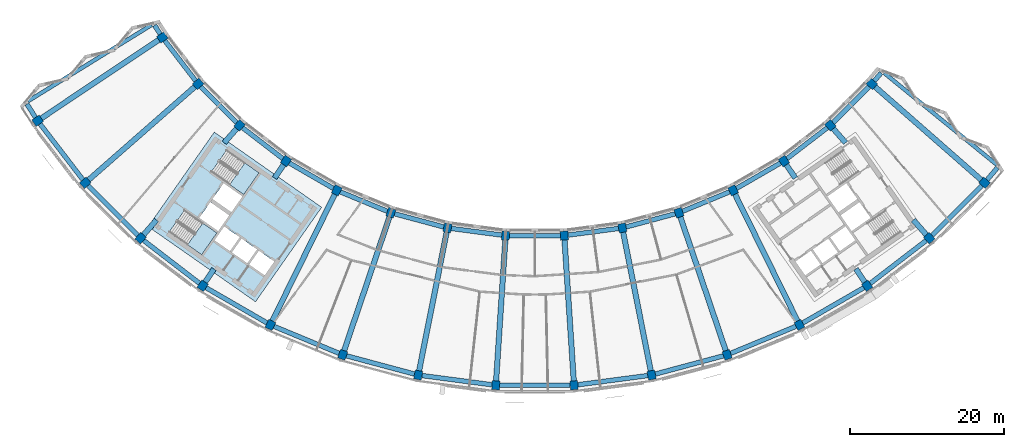
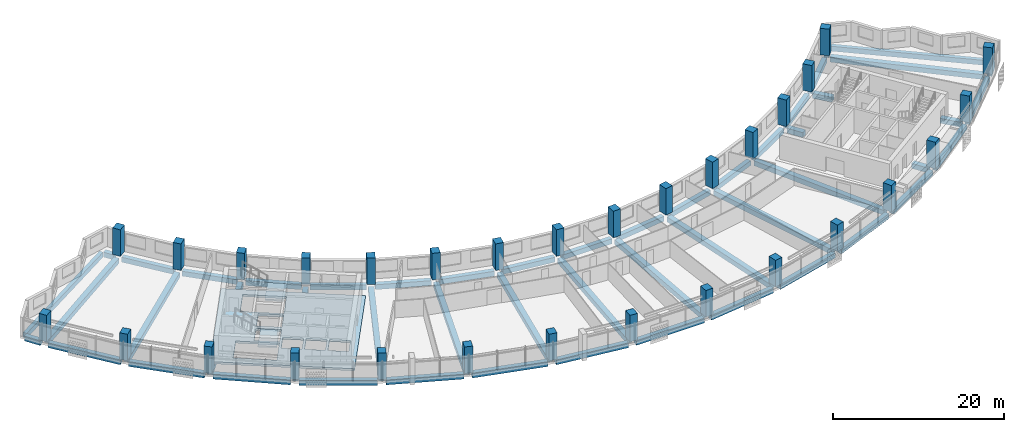
# One storey, part 1 of 28: 53 beams, 30 columns, 3 slabs, 2 elements without a shape of their own.
"""IFC4 building model written with IfcOpenShell, lengths in metres."""

from ifc_helpers import new_model, si_unit, direction, frame, origin, origin_2d, place, context, subcontext, project, spatial, polyline, rectangle, outline, extrude, material, layer, layer_set, material_profile, profile_set, type_object, element, aggregate, save


model = new_model("IFC4")

# Units and contexts
model_context = context("Model", 3, precision=1e-05, world=origin(), true_north=direction((0.0, 1.0)))
body_context = subcontext(model_context, "Body", "Model", "MODEL_VIEW")
ifc_project = project(units=[si_unit("LENGTHUNIT", "METRE"), si_unit("AREAUNIT", "SQUARE_METRE"), si_unit("VOLUMEUNIT", "CUBIC_METRE"), si_unit("PLANEANGLEUNIT", "RADIAN"), si_unit("MASSUNIT", "GRAM", prefix="KILO")], contexts=[model_context])

# Site, building, storey
site_placement = place(None, origin())
site = spatial("IfcSite", under=ifc_project, at=site_placement, CompositionType="ELEMENT")
building_placement = place(site_placement, origin())
building = spatial("IfcBuilding", under=site, at=building_placement, Name="Qamariyya Broadcast Tower", CompositionType="ELEMENT")
storey_placement = place(building_placement, frame((0.0, 0.0, 230.300048828125)))
storey = spatial("IfcBuildingStorey", under=building, at=storey_placement, Name="L55", CompositionType="ELEMENT", Elevation=230.300048828125)

# Columns
ifc_material_1 = material(Name="Concrete C60/75", Category="concrete")
ifc_material_profile_1 = material_profile(ifc_material_1, rectangle(XDim=1.0, YDim=1.14990234375, at=origin_2d()))
ifc_profile_set_1 = profile_set([ifc_material_profile_1], Name="Concrete C60/75")
column_type = type_object("IfcColumnType", Name="RC column 1000 x 1150 C60/75", PredefinedType="COLUMN", material=ifc_profile_set_1)
for number, where, z_axis, x_axis, name in (
    (1, (-48.43310546875, -32.362060546875, 0.0), (0.0, 0.0, 1.0), (0.55557023302, -0.831469612303, 0.0), "Column C11 L55 B-R03"),
    (2, (-64.646728515625, -43.195556640625, 0.0), (0.0, 0.0, 1.0), (0.55557023302, -0.831469612303, 0.0), "Column C11 L55 C-R03"),
    (3, (-43.794677734375, -38.406982421875, 0.0), (0.0, 0.0, 1.0), (0.6593458151, -0.751839807479, 0.0), "Column C11 L55 B-R04"),
    (4, (-58.45556640625, -51.26416015625, 0.0), (0.0, 0.0, 1.0), (0.6593458151, -0.751839807479, 0.0), "Column C11 L55 C-R04"),
    (5, (-38.406982421875, -43.794677734375, 0.0), (0.0, 0.0, 1.0), (0.751839807479, -0.6593458151, 0.0), "Column C11 L55 B-R05"),
    (6, (-51.26416015625, -58.45556640625, 0.0), (0.0, 0.0, 1.0), (0.751839807479, -0.6593458151, 0.0), "Column C11 L55 C-R05"),
    (7, (-32.362060546875, -48.43310546875, 0.0), (0.0, 0.0, 1.0), (0.831469612303, -0.55557023302, 0.0), "Column C11 L55 B-R06"),
    (8, (-43.195556640625, -64.646728515625, 0.0), (0.0, 0.0, 1.0), (0.831469612303, -0.55557023302, 0.0), "Column C11 L55 C-R06"),
    (9, (-25.763427734375, -52.242919921875, 0.0), (0.0, 0.0, 1.0), (0.896872741533, -0.442288690219, 0.0), "Column C11 L55 B-R07"),
    (10, (-34.387939453125, -69.73193359375, 0.0), (0.0, 0.0, 1.0), (0.896872741533, -0.442288690219, 0.0), "Column C11 L55 C-R07"),
    (11, (-18.723876953125, -55.15869140625, 0.0), (0.0, 0.0, 1.0), (0.946930129495, -0.321439465303, 0.0), "Column C11 L55 B-R08"),
    (12, (-24.991943359375, -73.623779296875, 0.0), (0.0, 0.0, 1.0), (0.946930129495, -0.321439465303, 0.0), "Column C11 L55 C-R08"),
    (13, (-11.364013671875, -57.130859375, 0.0), (0.0, 0.0, 1.0), (0.980785280403, -0.195090322016, 0.0), "Column C11 L55 B-R09"),
    (14, (-15.168212890625, -76.256103515625, 0.0), (0.0, 0.0, 1.0), (0.980785280403, -0.195090322016, 0.0), "Column C11 L55 C-R09"),
    (15, (-3.809814453125, -58.125244140625, 0.0), (0.0, 0.0, 1.0), (0.997858923239, -0.06540312923, 0.0), "Column C11 L55 B-R10"),
    (16, (-5.085205078125, -77.58349609375, 0.0), (0.0, 0.0, 1.0), (0.997858923239, -0.06540312923, 0.0), "Column C11 L55 C-R10"),
    (17, (3.809814453125, -58.125244140625, 0.0), (0.0, 0.0, 1.0), (0.997858923239, 0.06540312923, 0.0), "Column C11 L55 B-R11"),
    (18, (5.085205078125, -77.58349609375, 0.0), (0.0, 0.0, 1.0), (0.997858923239, 0.06540312923, 0.0), "Column C11 L55 C-R11"),
    (19, (11.364013671875, -57.130859375, 0.0), (0.0, 0.0, 1.0), (0.980785280403, 0.195090322016, 0.0), "Column C11 L55 B-R12"),
    (20, (15.168212890625, -76.256103515625, 0.0), (0.0, 0.0, 1.0), (0.980785280403, 0.195090322016, 0.0), "Column C11 L55 C-R12"),
    (21, (18.723876953125, -55.15869140625, 0.0), (0.0, 0.0, 1.0), (0.946930129495, 0.321439465303, 0.0), "Column C11 L55 B-R13"),
    (22, (24.991943359375, -73.623779296875, 0.0), (0.0, 0.0, 1.0), (0.946930129495, 0.321439465303, 0.0), "Column C11 L55 C-R13"),
    (23, (25.763427734375, -52.242919921875, 0.0), (0.0, 0.0, 1.0), (0.896872741533, 0.442288690219, 0.0), "Column C11 L55 B-R14"),
    (24, (34.387939453125, -69.73193359375, 0.0), (0.0, 0.0, 1.0), (0.896872741533, 0.442288690219, 0.0), "Column C11 L55 C-R14"),
    (25, (32.362060546875, -48.43310546875, 0.0), (0.0, 0.0, 1.0), (0.831469612303, 0.55557023302, 0.0), "Column C11 L55 B-R15"),
    (26, (43.195556640625, -64.646728515625, 0.0), (0.0, 0.0, 1.0), (0.831469612303, 0.55557023302, 0.0), "Column C11 L55 C-R15"),
    (27, (38.406982421875, -43.794677734375, 0.0), (0.0, 0.0, 1.0), (0.751839807479, 0.6593458151, 0.0), "Column C11 L55 B-R16"),
    (28, (51.26416015625, -58.45556640625, 0.0), (0.0, 0.0, 1.0), (0.751839807479, 0.6593458151, 0.0), "Column C11 L55 C-R16"),
    (29, (43.794677734375, -38.406982421875, 0.0), (0.0, 0.0, 1.0), (0.6593458151, 0.751839807479, 0.0), "Column C11 L55 B-R17"),
    (30, (58.45556640625, -51.26416015625, 0.0), (0.0, 0.0, 1.0), (0.6593458151, 0.751839807479, 0.0), "Column C11 L55 C-R17"),
):
    element("IfcColumn", number, at=place(storey_placement, frame(where, z_axis=z_axis, x_axis=x_axis)), inside=storey, type_object=column_type, Name=name, PredefinedType="COLUMN", context=body_context, shape_type="SweptSolid", body=[
        extrude(rectangle(XDim=1.0, YDim=1.14990234375, at=origin_2d()), origin(), (0.0, 0.0, 1.0), 3.800048828125),
    ])

# Beams
ifc_material_2 = material(Name="Concrete C40/50", Category="concrete")
ifc_material_profile_2 = material_profile(ifc_material_2, rectangle(XDim=0.60009765625, YDim=0.699951171875, at=origin_2d()))
ifc_profile_set_2 = profile_set([ifc_material_profile_2], Name="Concrete C40/50")
beam_type_1 = type_object("IfcBeamType", Name="RC edge beam 600 x 700 C40/50", PredefinedType="SPANDREL", material=ifc_profile_set_2)
for number, where, z_axis, x_axis, name in (
    (31, (-48.128173828125, -32.759521484375, -0.650146484375), (0.608788546151, -0.79333253184, 0.0), (0.79333253184, 0.608788546151, 0.0), "Edge beam B20 L55 B R03-R04"),
    (32, (-43.4404296875, -38.76123046875, -0.650146484375), (0.707106781187, -0.707106781187, 0.0), (0.707106781187, 0.707106781187, 0.0), "Edge beam B20 L55 B R04-R05"),
    (33, (-38.00927734375, -44.099609375, -0.650146484375), (0.79333253184, -0.608788546151, 0.0), (0.608788546151, 0.79333253184, 0.0), "Edge beam B20 L55 B R05-R06"),
):
    element("IfcBeam", number, at=place(storey_placement, frame(where, z_axis=z_axis, x_axis=x_axis)), inside=storey, type_object=beam_type_1, Name=name, PredefinedType="SPANDREL", context=body_context, shape_type="SweptSolid", body=[
        extrude(rectangle(XDim=0.60009765625, YDim=0.699951171875, at=origin_2d()), origin(), (0.0, 0.0, 1.0), 6.617431640625),
    ])
for number, where, z_axis, x_axis, name in (
    (34, (-31.927978515625, -48.68359375, -0.650146484375), (0.866027686223, -0.499996046679, 0.0), (0.499996046679, 0.866027686223, 0.0), "Edge beam B20 L55 B R06-R07"),
    (35, (-25.30029296875, -52.4345703125, -0.650146484375), (0.923870685948, -0.382704789159, 0.0), (0.382704789159, 0.923870685948, 0.0), "Edge beam B20 L55 B R07-R08"),
):
    element("IfcBeam", number, at=place(storey_placement, frame(where, z_axis=z_axis, x_axis=x_axis)), inside=storey, type_object=beam_type_1, Name=name, PredefinedType="SPANDREL", context=body_context, shape_type="SweptSolid", body=[
        extrude(rectangle(XDim=0.60009765625, YDim=0.699951171875, at=origin_2d()), origin(), (0.0, 0.0, 1.0), 6.6171875),
    ])
for number, where, z_axis, x_axis, name in (
    (36, (-18.23974609375, -55.288330078125, -0.650146484375), (0.965927466282, -0.258812924486, 0.0), (0.258812924486, 0.965927466282, 0.0), "Edge beam B20 L55 B R08-R09"),
    (37, (-10.8671875, -57.196044921875, -0.650146484375), (0.991444372314, -0.130529906942, 0.0), (0.130529906942, 0.991444372314, 0.0), "Edge beam B20 L55 B R09-R10"),
):
    element("IfcBeam", number, at=place(storey_placement, frame(where, z_axis=z_axis, x_axis=x_axis)), inside=storey, type_object=beam_type_1, Name=name, PredefinedType="SPANDREL", context=body_context, shape_type="SweptSolid", body=[
        extrude(rectangle(XDim=0.60009765625, YDim=0.699951171875, at=origin_2d()), origin(), (0.0, 0.0, 1.0), 6.617431640625),
    ])
beam_1_placement = place(storey_placement, frame((-3.30859375, -58.125244140625, -0.650146484375), z_axis=(1.0, 0.0, 0.0), x_axis=(0.0, 1.0, 0.0)))
element("IfcBeam", 38, at=beam_1_placement, inside=storey, type_object=beam_type_1, Name="Edge beam B20 L55 B R10-R11", PredefinedType="SPANDREL", context=body_context, shape_type="SweptSolid", body=[
    extrude(rectangle(XDim=0.60009765625, YDim=0.699951171875, at=origin_2d()), origin(), (0.0, 0.0, 1.0), 6.6171875),
])
for number, where, z_axis, x_axis, name in (
    (39, (4.306396484375, -58.059814453125, -0.650146484375), (0.991444372314, 0.130529906942, 0.0), (-0.130529906942, 0.991444372314, 0.0), "Edge beam B20 L55 B R11-R12"),
    (40, (11.847900390625, -57.0009765625, -0.650146484375), (0.965927466282, 0.258812924486, 0.0), (-0.258812924486, 0.965927466282, 0.0), "Edge beam B20 L55 B R12-R13"),
):
    element("IfcBeam", number, at=place(storey_placement, frame(where, z_axis=z_axis, x_axis=x_axis)), inside=storey, type_object=beam_type_1, Name=name, PredefinedType="SPANDREL", context=body_context, shape_type="SweptSolid", body=[
        extrude(rectangle(XDim=0.60009765625, YDim=0.699951171875, at=origin_2d()), origin(), (0.0, 0.0, 1.0), 6.617431640625),
    ])
for number, where, z_axis, x_axis, name in (
    (41, (19.186767578125, -54.967041015625, -0.650146484375), (0.923870685948, 0.382704789159, 0.0), (-0.382704789159, 0.923870685948, 0.0), "Edge beam B20 L55 B R13-R14"),
    (42, (26.197265625, -51.9921875, -0.650146484375), (0.866027686223, 0.499996046679, 0.0), (-0.499996046679, 0.866027686223, 0.0), "Edge beam B20 L55 B R14-R15"),
):
    element("IfcBeam", number, at=place(storey_placement, frame(where, z_axis=z_axis, x_axis=x_axis)), inside=storey, type_object=beam_type_1, Name=name, PredefinedType="SPANDREL", context=body_context, shape_type="SweptSolid", body=[
        extrude(rectangle(XDim=0.60009765625, YDim=0.699951171875, at=origin_2d()), origin(), (0.0, 0.0, 1.0), 6.6171875),
    ])
for number, where, z_axis, x_axis, name in (
    (43, (32.759521484375, -48.128173828125, -0.650146484375), (0.79333253184, 0.608788546151, 0.0), (-0.608788546151, 0.79333253184, 0.0), "Edge beam B20 L55 B R15-R16"),
    (44, (38.76123046875, -43.4404296875, -0.650146484375), (0.707106781187, 0.707106781187, 0.0), (-0.707106781187, 0.707106781187, 0.0), "Edge beam B20 L55 B R16-R17"),
):
    element("IfcBeam", number, at=place(storey_placement, frame(where, z_axis=z_axis, x_axis=x_axis)), inside=storey, type_object=beam_type_1, Name=name, PredefinedType="SPANDREL", context=body_context, shape_type="SweptSolid", body=[
        extrude(rectangle(XDim=0.60009765625, YDim=0.699951171875, at=origin_2d()), origin(), (0.0, 0.0, 1.0), 6.617431640625),
    ])
for number, where, z_axis, x_axis, name in (
    (45, (-64.341796875, -43.593017578125, -0.650146484375), (0.608761882331, -0.793352992445, 0.0), (0.793352992445, 0.608761882331, 0.0), "Edge beam B20 L55 C R03-R04"),
    (46, (-58.101318359375, -51.618408203125, -0.650146484375), (0.707106781187, -0.707106781187, 0.0), (0.707106781187, 0.707106781187, 0.0), "Edge beam B20 L55 C R04-R05"),
    (47, (-50.86669921875, -58.760498046875, -0.650146484375), (0.793352992445, -0.608761882331, 0.0), (0.608761882331, 0.793352992445, 0.0), "Edge beam B20 L55 C R05-R06"),
    (48, (-42.76171875, -64.897216796875, -0.650146484375), (0.866032154434, -0.49998830735, 0.0), (0.49998830735, 0.866032154434, 0.0), "Edge beam B20 L55 C R06-R07"),
    (49, (-33.925048828125, -69.923583984375, -0.650146484375), (0.923876946533, -0.382689675409, 0.0), (0.382689675409, 0.923876946533, 0.0), "Edge beam B20 L55 C R07-R08"),
):
    element("IfcBeam", number, at=place(storey_placement, frame(where, z_axis=z_axis, x_axis=x_axis)), inside=storey, type_object=beam_type_1, Name=name, PredefinedType="SPANDREL", context=body_context, shape_type="SweptSolid", body=[
        extrude(rectangle(XDim=0.60009765625, YDim=0.699951171875, at=origin_2d()), origin(), (0.0, 0.0, 1.0), 9.168212890625),
    ])
for number, where, z_axis, x_axis, name in (
    (50, (-24.5078125, -73.75341796875, -0.650146484375), (0.965919522093, -0.258842571536, 0.0), (0.258842571536, 0.965919522093, 0.0), "Edge beam B20 L55 C R08-R09"),
    (51, (-14.67138671875, -76.321533203125, -0.650146484375), (0.991446770895, -0.130511687147, 0.0), (0.130511687147, 0.991446770895, 0.0), "Edge beam B20 L55 C R09-R10"),
    (52, (-4.583984375, -77.58349609375, -0.650146484375), (1.0, 0.0, 0.0), (0.0, 1.0, 0.0), "Edge beam B20 L55 C R10-R11"),
    (53, (5.581787109375, -77.51806640625, -0.650146484375), (0.991446770895, 0.130511687147, 0.0), (-0.130511687147, 0.991446770895, 0.0), "Edge beam B20 L55 C R11-R12"),
    (54, (15.65234375, -76.12646484375, -0.650146484375), (0.965919522093, 0.258842571536, 0.0), (-0.258842571536, 0.965919522093, 0.0), "Edge beam B20 L55 C R12-R13"),
):
    element("IfcBeam", number, at=place(storey_placement, frame(where, z_axis=z_axis, x_axis=x_axis)), inside=storey, type_object=beam_type_1, Name=name, PredefinedType="SPANDREL", context=body_context, shape_type="SweptSolid", body=[
        extrude(rectangle(XDim=0.60009765625, YDim=0.699951171875, at=origin_2d()), origin(), (0.0, 0.0, 1.0), 9.16796875),
    ])
for number, where, z_axis, x_axis, name in (
    (55, (25.454833984375, -73.43212890625, -0.650146484375), (0.923876946533, 0.382689675409, 0.0), (-0.382689675409, 0.923876946533, 0.0), "Edge beam B20 L55 C R13-R14"),
    (56, (34.82177734375, -69.481201171875, -0.650146484375), (0.866032154434, 0.49998830735, 0.0), (-0.49998830735, 0.866032154434, 0.0), "Edge beam B20 L55 C R14-R15"),
    (57, (43.593017578125, -64.341796875, -0.650146484375), (0.793352992445, 0.608761882331, 0.0), (-0.608761882331, 0.793352992445, 0.0), "Edge beam B20 L55 C R15-R16"),
    (58, (51.618408203125, -58.101318359375, -0.650146484375), (0.707106781187, 0.707106781187, 0.0), (-0.707106781187, 0.707106781187, 0.0), "Edge beam B20 L55 C R16-R17"),
):
    element("IfcBeam", number, at=place(storey_placement, frame(where, z_axis=z_axis, x_axis=x_axis)), inside=storey, type_object=beam_type_1, Name=name, PredefinedType="SPANDREL", context=body_context, shape_type="SweptSolid", body=[
        extrude(rectangle(XDim=0.60009765625, YDim=0.699951171875, at=origin_2d()), origin(), (0.0, 0.0, 1.0), 9.168212890625),
    ])
ifc_material_profile_3 = material_profile(ifc_material_2, rectangle(XDim=0.60009765625, YDim=0.699951171875, at=origin_2d()))
ifc_profile_set_3 = profile_set([ifc_material_profile_3], Name="Concrete C40/50")
beam_type_2 = type_object("IfcBeamType", Name="RC horn beam 600 x 700 C40/50", PredefinedType="BEAM", material=ifc_profile_set_3)
beam_2_placement = place(storey_placement, frame((-48.703369140625, -31.941162109375, -0.650146484375), z_axis=(-0.540297879836, 0.841473826714, 0.0), x_axis=(-0.841473826714, -0.540297879836, 0.0)))
element("IfcBeam", 59, at=beam_2_placement, inside=storey, type_object=beam_type_2, Name="Horn beam B19 L55 W B-R03", PredefinedType="BEAM", context=body_context, shape_type="SweptSolid", body=[
    extrude(rectangle(XDim=0.60009765625, YDim=0.699951171875, at=origin_2d()), origin(), (0.0, 0.0, 1.0), 1.369140625),
])
beam_3_placement = place(storey_placement, frame((-64.9169921875, -42.77490234375, -0.650146484375), z_axis=(-0.540336100323, 0.84144928468, 0.0), x_axis=(-0.84144928468, -0.540336100323, 0.0)))
element("IfcBeam", 60, at=beam_3_placement, inside=storey, type_object=beam_type_2, Name="Horn beam B19 L55 W C-R03", PredefinedType="BEAM", context=body_context, shape_type="SweptSolid", body=[
    extrude(rectangle(XDim=0.60009765625, YDim=0.699951171875, at=origin_2d()), origin(), (0.0, 0.0, 1.0), 2.078857421875),
])
beam_4_placement = place(storey_placement, frame((44.117431640625, -38.02490234375, -0.650146484375), z_axis=(0.645622475377, 0.763656741795, 0.0), x_axis=(-0.763656741795, 0.645622475377, 0.0)))
element("IfcBeam", 61, at=beam_4_placement, inside=storey, type_object=beam_type_2, Name="Horn beam B19 L55 E B-R17", PredefinedType="BEAM", context=body_context, shape_type="SweptSolid", body=[
    extrude(rectangle(XDim=0.60009765625, YDim=0.699951171875, at=origin_2d()), origin(), (0.0, 0.0, 1.0), 1.369384765625),
])
beam_5_placement = place(storey_placement, frame((58.7783203125, -50.88232421875, -0.650146484375), z_axis=(0.645563116795, 0.763706921688, 0.0), x_axis=(-0.763706921688, 0.645563116795, 0.0)))
element("IfcBeam", 62, at=beam_5_placement, inside=storey, type_object=beam_type_2, Name="Horn beam B19 L55 E C-R17", PredefinedType="BEAM", context=body_context, shape_type="SweptSolid", body=[
    extrude(rectangle(XDim=0.60009765625, YDim=0.699951171875, at=origin_2d()), origin(), (0.0, 0.0, 1.0), 2.078857421875),
])
ifc_material_profile_4 = material_profile(ifc_material_2, rectangle(XDim=0.5, YDim=0.699951171875, at=origin_2d()))
ifc_profile_set_4 = profile_set([ifc_material_profile_4], Name="Concrete C40/50")
beam_type_3 = type_object("IfcBeamType", Name="RC horn cap beam 500 x 700 C40/50", PredefinedType="BEAM", material=ifc_profile_set_4)
for number, where, z_axis, x_axis, name in (
    (63, (-49.833740234375, -30.736083984375, -0.650146484375), (-0.851122099769, -0.524967781187, 0.0), (0.524967781187, -0.851122099769, 0.0), "Horn cap beam B21 L55 W B-C"),
    (64, (45.3955078125, -36.977783203125, -0.650146484375), (0.775323537045, -0.631564258729, 0.0), (0.631564258729, 0.775323537045, 0.0), "Horn cap beam B21 L55 E B-C"),
):
    element("IfcBeam", number, at=place(storey_placement, frame(where, z_axis=z_axis, x_axis=x_axis)), inside=storey, type_object=beam_type_3, Name=name, PredefinedType="BEAM", context=body_context, shape_type="SweptSolid", body=[
        extrude(rectangle(XDim=0.5, YDim=0.699951171875, at=origin_2d()), origin(), (0.0, 0.0, 1.0), 18.89990234375),
    ])
ifc_material_profile_5 = material_profile(ifc_material_2, rectangle(XDim=0.699951171875, YDim=0.699951171875, at=origin_2d()))
ifc_profile_set_5 = profile_set([ifc_material_profile_5], Name="Concrete C40/50")
beam_type_4 = type_object("IfcBeamType", Name="RC radial beam 700 x 700 C40/50", PredefinedType="BEAM", material=ifc_profile_set_5)
beam_6_placement = place(storey_placement, frame((-48.9111328125, -32.681396484375, -0.650146484375), z_axis=(-0.831468530479, -0.55557185208, 0.0), x_axis=(0.55557185208, -0.831468530479, 0.0)))
element("IfcBeam", 65, at=beam_6_placement, inside=storey, type_object=beam_type_4, Name="Radial beam B18 L55 R03 B-C", PredefinedType="BEAM", context=body_context, shape_type="SweptSolid", body=[
    extrude(rectangle(XDim=0.699951171875, YDim=0.699951171875, at=origin_2d()), origin(), (0.0, 0.0, 1.0), 18.35009765625),
])
beam_7_placement = place(storey_placement, frame((-44.22705078125, -38.7861328125, -0.650146484375), z_axis=(-0.751840222646, -0.659345341692, 0.0), x_axis=(0.659345341692, -0.751840222646, 0.0)))
element("IfcBeam", 66, at=beam_7_placement, inside=storey, type_object=beam_type_4, Name="Radial beam B18 L55 R04 B-C", PredefinedType="BEAM", context=body_context, shape_type="SweptSolid", body=[
    extrude(rectangle(XDim=0.699951171875, YDim=0.699951171875, at=origin_2d()), origin(), (0.0, 0.0, 1.0), 18.349853515625),
])
beam_8_placement = place(storey_placement, frame((-38.7861328125, -44.22705078125, -0.650146484375), z_axis=(-0.659347500472, -0.751838329444, 0.0), x_axis=(0.751838329444, -0.659347500472, 0.0)))
element("IfcBeam", 67, at=beam_8_placement, inside=storey, type_object=beam_type_4, Name="Radial beam B18 L55 R05 B-C", PredefinedType="BEAM", context=body_context, shape_type="SweptSolid", body=[
    extrude(rectangle(XDim=0.699951171875, YDim=0.699951171875, at=origin_2d()), origin(), (0.0, 0.0, 1.0), 2.43896484375),
])
beam_9_placement = place(storey_placement, frame((-49.1943359375, -56.095458984375, -0.650146484375), z_axis=(-0.65936701245, -0.751821217373, 0.0), x_axis=(0.751821217373, -0.65936701245, 0.0)))
element("IfcBeam", 68, at=beam_9_placement, inside=storey, type_object=beam_type_4, Name="Radial beam B18 L55 R05 B-C", PredefinedType="BEAM", context=body_context, shape_type="SweptSolid", body=[
    extrude(rectangle(XDim=0.699951171875, YDim=0.699951171875, at=origin_2d()), origin(), (0.0, 0.0, 1.0), 2.56396484375),
])
beam_10_placement = place(storey_placement, frame((-32.681396484375, -48.9111328125, -0.650146484375), z_axis=(-0.555589685374, -0.831456614326, 0.0), x_axis=(0.831456614326, -0.555589685374, 0.0)))
element("IfcBeam", 69, at=beam_10_placement, inside=storey, type_object=beam_type_4, Name="Radial beam B18 L55 R06 B-C", PredefinedType="BEAM", context=body_context, shape_type="SweptSolid", body=[
    extrude(rectangle(XDim=0.699951171875, YDim=0.699951171875, at=origin_2d()), origin(), (0.0, 0.0, 1.0), 2.08935546875),
])
beam_11_placement = place(storey_placement, frame((-41.733154296875, -62.458251953125, -0.650146484375), z_axis=(-0.555630982199, -0.831429017788, 0.0), x_axis=(0.831429017788, -0.555630982199, 0.0)))
element("IfcBeam", 70, at=beam_11_placement, inside=storey, type_object=beam_type_4, Name="Radial beam B18 L55 R06 B-C", PredefinedType="BEAM", context=body_context, shape_type="SweptSolid", body=[
    extrude(rectangle(XDim=0.699951171875, YDim=0.699951171875, at=origin_2d()), origin(), (0.0, 0.0, 1.0), 2.05712890625),
])
beam_12_placement = place(storey_placement, frame((-26.017578125, -52.758544921875, -0.650146484375), z_axis=(-0.442289405452, -0.896872388819, 0.0), x_axis=(0.896872388819, -0.442289405452, 0.0)))
element("IfcBeam", 71, at=beam_12_placement, inside=storey, type_object=beam_type_4, Name="Radial beam B18 L55 R07 B-C", PredefinedType="BEAM", context=body_context, shape_type="SweptSolid", body=[
    extrude(rectangle(XDim=0.699951171875, YDim=0.699951171875, at=origin_2d()), origin(), (0.0, 0.0, 1.0), 18.349853515625),
])
for number, where, z_axis, x_axis, name in (
    (72, (-18.90869140625, -55.703125, -0.650146484375), (-0.321439728167, -0.946930040265, 0.0), (0.946930040265, -0.321439728167, 0.0), "Radial beam B18 L55 R08 B-C"),
    (73, (-11.47607421875, -57.694580078125, -0.650146484375), (-0.195097720648, -0.980783808695, 0.0), (0.980783808695, -0.195097720648, 0.0), "Radial beam B18 L55 R09 B-C"),
    (74, (-3.847412109375, -58.698974609375, -0.650146484375), (-0.065405444204, -0.997858771505, 0.0), (0.997858771505, -0.065405444204, 0.0), "Radial beam B18 L55 R10 B-C"),
    (75, (3.847412109375, -58.698974609375, -0.650146484375), (0.065405444204, -0.997858771505, 0.0), (0.997858771505, 0.065405444204, 0.0), "Radial beam B18 L55 R11 B-C"),
    (76, (11.47607421875, -57.694580078125, -0.650146484375), (0.195097720648, -0.980783808695, 0.0), (0.980783808695, 0.195097720648, 0.0), "Radial beam B18 L55 R12 B-C"),
    (77, (18.90869140625, -55.703125, -0.650146484375), (0.321439728167, -0.946930040265, 0.0), (0.946930040265, 0.321439728167, 0.0), "Radial beam B18 L55 R13 B-C"),
):
    element("IfcBeam", number, at=place(storey_placement, frame(where, z_axis=z_axis, x_axis=x_axis)), inside=storey, type_object=beam_type_4, Name=name, PredefinedType="BEAM", context=body_context, shape_type="SweptSolid", body=[
        extrude(rectangle(XDim=0.699951171875, YDim=0.699951171875, at=origin_2d()), origin(), (0.0, 0.0, 1.0), 18.35009765625),
    ])
beam_13_placement = place(storey_placement, frame((26.017578125, -52.758544921875, -0.650146484375), z_axis=(0.442289405452, -0.896872388819, 0.0), x_axis=(0.896872388819, 0.442289405452, 0.0)))
element("IfcBeam", 78, at=beam_13_placement, inside=storey, type_object=beam_type_4, Name="Radial beam B18 L55 R14 B-C", PredefinedType="BEAM", context=body_context, shape_type="SweptSolid", body=[
    extrude(rectangle(XDim=0.699951171875, YDim=0.699951171875, at=origin_2d()), origin(), (0.0, 0.0, 1.0), 18.349853515625),
])
beam_14_placement = place(storey_placement, frame((32.681396484375, -48.9111328125, -0.650146484375), z_axis=(0.555589685374, -0.831456614326, 0.0), x_axis=(0.831456614326, 0.555589685374, 0.0)))
element("IfcBeam", 79, at=beam_14_placement, inside=storey, type_object=beam_type_4, Name="Radial beam B18 L55 R15 B-C", PredefinedType="BEAM", context=body_context, shape_type="SweptSolid", body=[
    extrude(rectangle(XDim=0.699951171875, YDim=0.699951171875, at=origin_2d()), origin(), (0.0, 0.0, 1.0), 2.08935546875),
])
beam_15_placement = place(storey_placement, frame((41.733154296875, -62.458251953125, -0.650146484375), z_axis=(0.555630982199, -0.831429017788, 0.0), x_axis=(0.831429017788, 0.555630982199, 0.0)))
element("IfcBeam", 80, at=beam_15_placement, inside=storey, type_object=beam_type_4, Name="Radial beam B18 L55 R15 B-C", PredefinedType="BEAM", context=body_context, shape_type="SweptSolid", body=[
    extrude(rectangle(XDim=0.699951171875, YDim=0.699951171875, at=origin_2d()), origin(), (0.0, 0.0, 1.0), 2.05712890625),
])
beam_16_placement = place(storey_placement, frame((38.7861328125, -44.22705078125, -0.650146484375), z_axis=(0.659347500472, -0.751838329444, 0.0), x_axis=(0.751838329444, 0.659347500472, 0.0)))
element("IfcBeam", 81, at=beam_16_placement, inside=storey, type_object=beam_type_4, Name="Radial beam B18 L55 R16 B-C", PredefinedType="BEAM", context=body_context, shape_type="SweptSolid", body=[
    extrude(rectangle(XDim=0.699951171875, YDim=0.699951171875, at=origin_2d()), origin(), (0.0, 0.0, 1.0), 2.43896484375),
])
beam_17_placement = place(storey_placement, frame((49.1943359375, -56.095458984375, -0.650146484375), z_axis=(0.65936701245, -0.751821217373, 0.0), x_axis=(0.751821217373, 0.65936701245, 0.0)))
element("IfcBeam", 82, at=beam_17_placement, inside=storey, type_object=beam_type_4, Name="Radial beam B18 L55 R16 B-C", PredefinedType="BEAM", context=body_context, shape_type="SweptSolid", body=[
    extrude(rectangle(XDim=0.699951171875, YDim=0.699951171875, at=origin_2d()), origin(), (0.0, 0.0, 1.0), 2.56396484375),
])
beam_18_placement = place(storey_placement, frame((44.22705078125, -38.7861328125, -0.650146484375), z_axis=(0.751840222646, -0.659345341692, 0.0), x_axis=(0.659345341692, 0.751840222646, 0.0)))
element("IfcBeam", 83, at=beam_18_placement, inside=storey, type_object=beam_type_4, Name="Radial beam B18 L55 R17 B-C", PredefinedType="BEAM", context=body_context, shape_type="SweptSolid", body=[
    extrude(rectangle(XDim=0.699951171875, YDim=0.699951171875, at=origin_2d()), origin(), (0.0, 0.0, 1.0), 18.349853515625),
])

# Slab
ifc_layer_1 = layer(ifc_material_2, 0.300048828125)
ifc_layer_set_1 = layer_set([ifc_layer_1], Name="Core floor slab 300 mm Concrete C40/50")
slab_type_1 = type_object("IfcSlabType", Name="Core floor slab 300 mm Concrete C40/50", PredefinedType="FLOOR", material=ifc_layer_set_1)
slab_1_placement = place(storey_placement, frame((0.0, 0.0, -0.300048828125)))
element("IfcSlab", 84, at=slab_1_placement, inside=storey, type_object=slab_type_1, Name="k-W-L55-slab", PredefinedType="FLOOR", context=body_context, shape_type="SweptSolid", body=[
    extrude(outline(polyline([(-50.286376953125, -56.95751953125), (-36.32373046875, -66.734375), (-27.719970703125, -54.447021484375), (-41.6826171875, -44.67041015625), (-50.286376953125, -56.95751953125)]), holes=[polyline([(-33.87353515625, -61.49169921875), (-35.88037109375, -60.08642578125), (-37.142333984375, -61.888427734375), (-35.13525390625, -63.293701171875), (-33.87353515625, -61.49169921875)]), polyline([(-36.126220703125, -59.914306640625), (-38.133056640625, -58.509033203125), (-39.394775390625, -60.311279296875), (-37.387939453125, -61.716552734375), (-36.126220703125, -59.914306640625)]), polyline([(-38.378662109375, -58.3369140625), (-40.3857421875, -56.931640625), (-41.6474609375, -58.73388671875), (-39.640625, -60.13916015625), (-38.378662109375, -58.3369140625)]), polyline([(-39.742431640625, -55.489990234375), (-42.199951171875, -53.769287109375), (-43.6337890625, -55.817138671875), (-41.17626953125, -57.537841796875), (-39.742431640625, -55.489990234375)]), polyline([(-39.45556640625, -55.080322265625), (-41.9130859375, -53.359619140625), (-40.47900390625, -51.311767578125), (-38.021728515625, -53.032470703125), (-39.45556640625, -55.080322265625)]), polyline([(-42.06103515625, -49.837890625), (-37.849609375, -52.78662109375), (-35.870849609375, -49.960693359375), (-40.082275390625, -47.01171875), (-42.06103515625, -49.837890625)]), polyline([(-47.538818359375, -57.66064453125), (-43.3271484375, -60.609619140625), (-41.348388671875, -57.783447265625), (-45.559814453125, -54.834716796875), (-47.538818359375, -57.66064453125)])]), origin(), (0.0, 0.0, 1.0), 0.300048828125),
])

# Stair, slab
ifc_material_3 = material(Name="Concrete C50/60", Category="concrete")
stair_type = type_object("IfcStairType", Name="Exit stair 22 risers of 173 mm", PredefinedType="HALF_TURN_STAIR", material=ifc_material_3)
stair_1_placement = place(storey_placement, origin())
stair_1 = element("IfcStair", 85, at=stair_1_placement, inside=storey, type_object=stair_type, Name="L55 Stair W2", PredefinedType="HALF_TURN_STAIR")
ifc_layer_2 = layer(ifc_material_3, 0.199951171875)
ifc_layer_set_2 = layer_set([ifc_layer_2], Name="Stair landing")
slab_type_2 = type_object("IfcSlabType", Name="Stair landing", PredefinedType="LANDING", material=ifc_layer_set_2)
slab_2_placement = place(storey_placement, frame((0.0, 0.0, 1.699951171875)))
slab_2 = element("IfcSlab", 86, at=slab_2_placement, type_object=slab_type_2, Name="ST-W2 landing 1", PredefinedType="LANDING", context=body_context, shape_type="SweptSolid", body=[
    extrude(outline(polyline([(-39.692138671875, -51.49658203125), (-37.849609375, -52.78662109375), (-35.870849609375, -49.960693359375), (-37.71337890625, -48.67041015625), (-39.692138671875, -51.49658203125)])), origin(), (0.0, 0.0, 1.0), 0.199951171875),
])
aggregate(stair_1, [slab_2])

stair_2_placement = place(storey_placement, origin())
stair_2 = element("IfcStair", 87, at=stair_2_placement, inside=storey, type_object=stair_type, Name="L55 Stair W1", PredefinedType="HALF_TURN_STAIR")
slab_3_placement = place(storey_placement, frame((0.0, 0.0, 1.699951171875)))
slab_3 = element("IfcSlab", 88, at=slab_3_placement, type_object=slab_type_2, Name="ST-W1 landing 1", PredefinedType="LANDING", context=body_context, shape_type="SweptSolid", body=[
    extrude(outline(polyline([(-45.169677734375, -59.319580078125), (-43.3271484375, -60.609619140625), (-41.348388671875, -57.783447265625), (-43.19091796875, -56.493408203125), (-45.169677734375, -59.319580078125)])), origin(), (0.0, 0.0, 1.0), 0.199951171875),
])
aggregate(stair_2, [slab_3])

save(model, "model.ifc")
